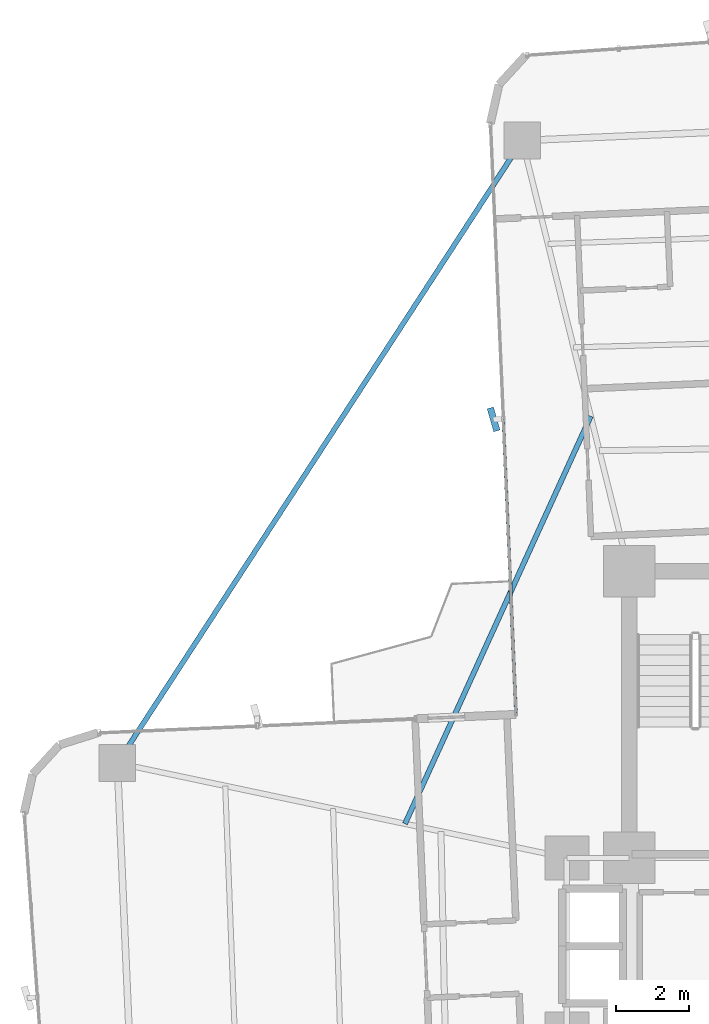
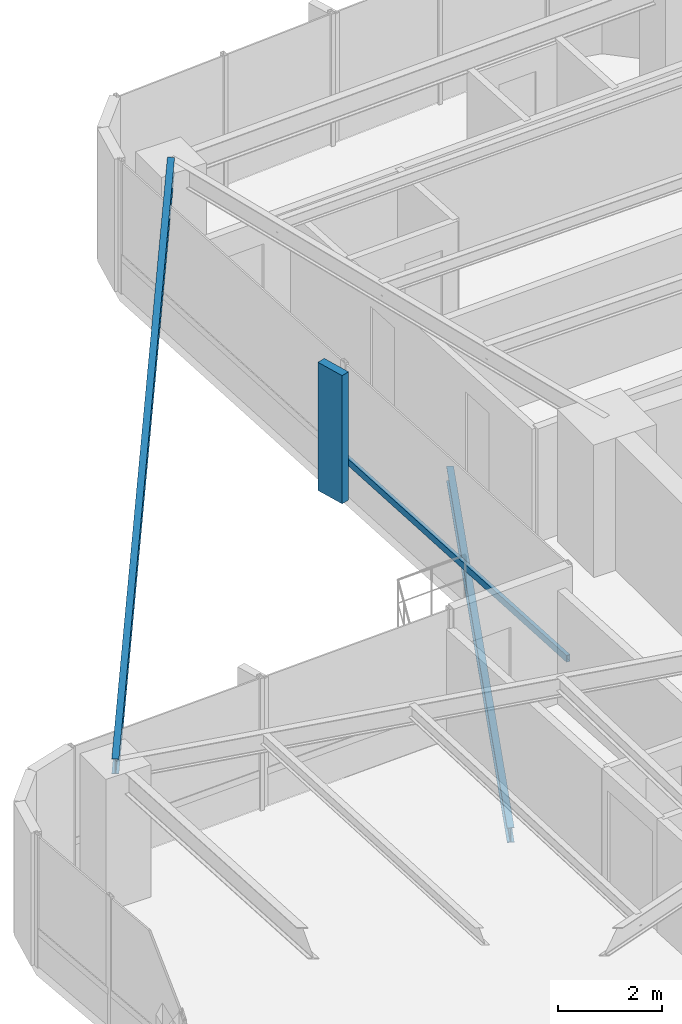
# One storey, part 16 of 26: 2 beams, 2 members, 1 element without a shape of its own.
"""IFC4 building model written with IfcOpenShell, lengths in metres."""

from ifc_helpers import new_model, si_unit, direction, frame, origin, origin_2d, place, context, subcontext, project, spatial, rectangle, hollow_rectangle, i_section, extrude, source, transform, mapped, material, material_profile, profile_set, type_object, element, aggregate, save


model = new_model("IFC4")

# Units and contexts
model_context = context("Model", 3, precision=1e-05, world=origin(), true_north=direction((0.0, 1.0)))
body_context = subcontext(model_context, "Body", "Model", "MODEL_VIEW")
ifc_project = project(units=[si_unit("LENGTHUNIT", "METRE"), si_unit("AREAUNIT", "SQUARE_METRE"), si_unit("VOLUMEUNIT", "CUBIC_METRE"), si_unit("PLANEANGLEUNIT", "RADIAN"), si_unit("MASSUNIT", "GRAM", prefix="KILO")], contexts=[model_context])

# Site, building, storey
site_placement = place(None, origin())
site = spatial("IfcSite", under=ifc_project, at=site_placement, CompositionType="ELEMENT")
building_placement = place(site_placement, origin())
building = spatial("IfcBuilding", under=site, at=building_placement, Name="Sahyath Konkavel Grand Hotel", CompositionType="ELEMENT")
storey_placement = place(building_placement, frame((0.0, 0.0, 93.550048828125)))
storey = spatial("IfcBuildingStorey", under=building, at=storey_placement, Name="L25", CompositionType="ELEMENT", Elevation=93.550048828125)

# Beam
ifc_material_1 = material(Name="Steel E350", Category="steel")
ifc_material_profile_1 = material_profile(ifc_material_1, i_section(OverallWidth=0.139892578125, OverallDepth=0.35009765625, WebThickness=0.008056640625, FlangeThickness=0.01416015625, FilletRadius=0.013916015625, at=origin_2d()), Name="ISMB 350")
ifc_profile_set_1 = profile_set([ifc_material_profile_1], Name="Steel E350")
beam_type_1 = type_object("IfcBeamType", Name="BM-ISMB350", PredefinedType="BEAM", material=ifc_profile_set_1)
shared_shape_1 = source(origin(), body_context, "Body", "SweptSolid", [
    extrude(i_section(OverallWidth=0.139892578125, OverallDepth=0.35009765625, WebThickness=0.008056640625, FlangeThickness=0.01416015625, FilletRadius=0.013916015625, at=origin_2d()), origin(), (0.0, 0.0, 1.0), 20.21533203125),
])
beam_1_placement = place(storey_placement, frame((-6.712890625, 21.927978515625, 2.93505859375), z_axis=(-0.545191244931, -0.838311700056, 0.0), x_axis=(0.838311700056, -0.545191244931, 0.0)))
element("IfcBeam", 1, at=beam_1_placement, inside=storey, type_object=beam_type_1, Name="L25 Re-Entrant Tie Beam NW", PredefinedType="BEAM", context=body_context, shape_type="MappedRepresentation", body=[
    mapped(shared_shape_1, transform((0.0, 0.0, 0.0), scale=1.0)),
])

# Curtain wall, members
ifc_material_2 = material(Name="Anodised Bronze Aluminium & Low-E Glazing", Category="aluminium")
curtain_wall_type = type_object("IfcCurtainWallType", Name="CW-ZONE2", PredefinedType="NOTDEFINED", material=ifc_material_2)
curtain_wall_placement = place(storey_placement, origin())
curtain_wall = element("IfcCurtainWall", 2, at=curtain_wall_placement, inside=storey, type_object=curtain_wall_type, Name="L25 Unitised Curtain Wall F15", PredefinedType="NOTDEFINED")
ifc_material_3 = material(Name="Warm Buff Sandstone Cladding on Concrete C50/60", Category="masonry")
ifc_material_profile_2 = material_profile(ifc_material_3, rectangle(XDim=0.179931640625, YDim=0.64990234375, at=origin_2d()), Name="FIN 180x650")
ifc_profile_set_2 = profile_set([ifc_material_profile_2], Name="Warm Buff Sandstone Cladding on Concrete C50/60")
member_type_1 = type_object("IfcMemberType", Name="FIN-SANDSTONE-650", PredefinedType="MULLION", material=ifc_profile_set_2)
shared_shape_2 = source(origin(), body_context, "Body", "SweptSolid", [
    extrude(rectangle(XDim=0.179931640625, YDim=0.64990234375, at=origin_2d()), origin(), (0.0, 0.0, 1.0), 3.010009765625),
])
member_1_placement = place(storey_placement, frame((-7.492431640625, 14.3369140625, 0.050048828125), z_axis=(0.0, 0.0, 1.0), x_axis=(0.961069030524, 0.276308375854, 0.0)))
member_1 = element("IfcMember", 3, at=member_1_placement, type_object=member_type_1, Name="L25 Sandstone Vertical Solar Fin FIN F15-1", PredefinedType="MULLION", context=body_context, shape_type="MappedRepresentation", body=[
    mapped(shared_shape_2, transform((0.0, 0.0, 0.0), scale=1.0)),
])
ifc_material_4 = material(Name="Anodised Bronze Aluminium", Category="aluminium")
ifc_material_profile_3 = material_profile(ifc_material_4, hollow_rectangle(XDim=0.080078125, YDim=0.159912109375, WallThickness=0.006103515625, at=origin_2d()), Name="RHS 160x80x6")
ifc_profile_set_3 = profile_set([ifc_material_profile_3], Name="Anodised Bronze Aluminium")
member_type_2 = type_object("IfcMemberType", Name="CW-TRN-160", PredefinedType="USERDEFINED", material=ifc_profile_set_3)
shared_shape_3 = source(origin(), body_context, "Body", "SweptSolid", [
    extrude(hollow_rectangle(XDim=0.080078125, YDim=0.159912109375, WallThickness=0.006103515625, at=origin_2d()), origin(), (0.0, 0.0, 1.0), 8.010009765625),
])
member_2_placement = place(storey_placement, frame((-7.232666015625, 14.34814453125, 0.849853515625), z_axis=(0.043615785896, -0.999048378819, 0.0), x_axis=(0.999048378819, 0.043615785896, 0.0)))
member_2 = element("IfcMember", 4, at=member_2_placement, type_object=member_type_2, Name="L25 Curtain Wall Transom F15-1-spandrel", ObjectType="TRANSOM", PredefinedType="USERDEFINED", context=body_context, shape_type="MappedRepresentation", body=[
    mapped(shared_shape_3, transform((0.0, 0.0, 0.0), scale=1.0)),
])
aggregate(curtain_wall, [member_1, member_2])

# Beam
ifc_material_profile_4 = material_profile(ifc_material_1, i_section(OverallWidth=0.139892578125, OverallDepth=0.35009765625, WebThickness=0.008056640625, FlangeThickness=0.01416015625, FilletRadius=0.013916015625, at=origin_2d()), Name="ISMB 350")
ifc_profile_set_4 = profile_set([ifc_material_profile_4], Name="Steel E350")
beam_type_2 = type_object("IfcBeamType", Name="BM-BALC-CANT", PredefinedType="BEAM", material=ifc_profile_set_4)
shared_shape_4 = source(origin(), body_context, "Body", "SweptSolid", [
    extrude(i_section(OverallWidth=0.139892578125, OverallDepth=0.35009765625, WebThickness=0.008056640625, FlangeThickness=0.01416015625, FilletRadius=0.013916015625, at=origin_2d()), origin(), (0.0, 0.0, 1.0), 12.190673828125),
])
beam_2_placement = place(storey_placement, frame((-4.8486328125, 14.422119140625, -0.4150390625), z_axis=(-0.414712580086, -0.909952458054, 0.0), x_axis=(0.909952458054, -0.414712580086, 0.0)))
element("IfcBeam", 5, at=beam_2_placement, inside=storey, type_object=beam_type_2, Name="L25 Balcony Cantilever Support Beam NW", PredefinedType="BEAM", context=body_context, shape_type="MappedRepresentation", body=[
    mapped(shared_shape_4, transform((0.0, 0.0, 0.0), scale=1.0)),
])

save(model, "model.ifc")
